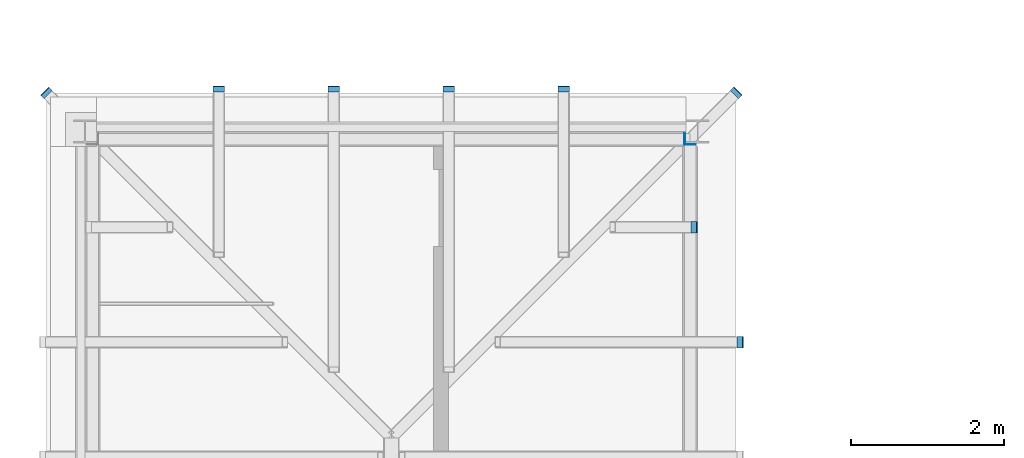
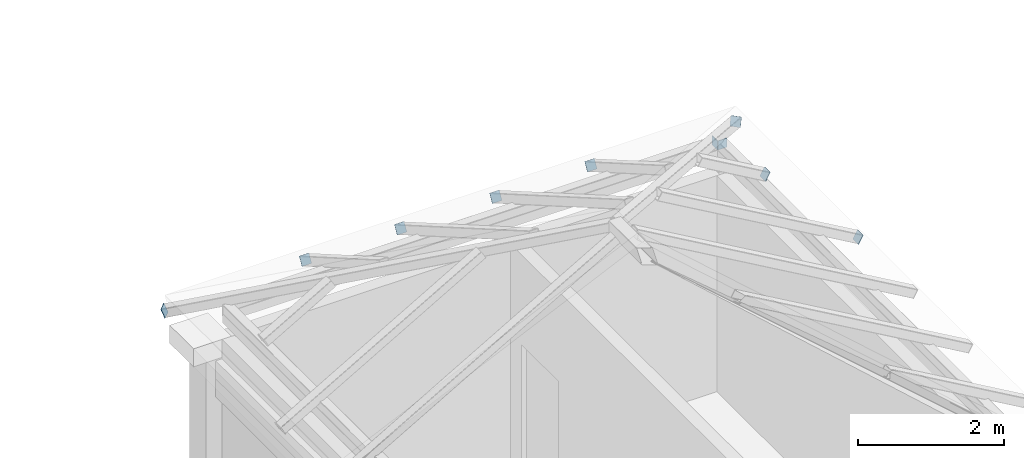
# One storey, part 82 of 111: 10 discrete accessories.
"""IFC4 building model written with IfcOpenShell, lengths in metres."""

from ifc_helpers import new_model, si_unit, direction, frame, origin, origin_2d, place, context, subcontext, project, spatial, rectangle, extrude, material, material_profile, profile_set, type_object, element, save


model = new_model("IFC4")

# Units and contexts
model_context = context("Model", 3, precision=1e-05, world=origin(), true_north=direction((0.0, 1.0)))
body_context = subcontext(model_context, "Body", "Model", "MODEL_VIEW")
ifc_project = project(units=[si_unit("LENGTHUNIT", "METRE"), si_unit("AREAUNIT", "SQUARE_METRE"), si_unit("VOLUMEUNIT", "CUBIC_METRE"), si_unit("PLANEANGLEUNIT", "RADIAN"), si_unit("MASSUNIT", "GRAM", prefix="KILO")], contexts=[model_context])

# Site, building, storey
site_placement = place(None, origin())
site = spatial("IfcSite", under=ifc_project, at=site_placement, CompositionType="ELEMENT")
building_placement = place(site_placement, origin())
building = spatial("IfcBuilding", under=site, at=building_placement, Name="Kallimachos Central Library", CompositionType="ELEMENT")
storey_placement = place(building_placement, frame((0.0, 0.0, 14.39990234375)))
storey = spatial("IfcBuildingStorey", under=building, at=storey_placement, Name="L03", CompositionType="ELEMENT", Elevation=14.39990234375)

# Discrete accessories
ifc_material = material(Name="Steel S355J2", Category="steel")
ifc_material_profile = material_profile(ifc_material, rectangle(XDim=0.14990234375, YDim=0.14990234375, at=origin_2d()), Name="End cap plate 10, 150x150")
ifc_profile_set = profile_set([ifc_material_profile], Name="Steel S355J2")
discrete_accessory_type = type_object("IfcDiscreteAccessoryType", Name="End cap plate 10, 150x150", PredefinedType="BRACKET", material=ifc_profile_set)
for number, where, z_axis, x_axis, name in (
    (1, (13.824951171875, 35.89990234375, 4.0751953125), (1.0, 0.0, 0.0), (0.0, 1.0, 0.0), "End cap plate"),
    (2, (13.89990234375, 35.824951171875, 4.0751953125), (0.0, 1.0, 0.0), (-1.0, 0.0, 0.0), "End cap plate"),
):
    element("IfcDiscreteAccessory", number, at=place(storey_placement, frame(where, z_axis=z_axis, x_axis=x_axis)), inside=storey, type_object=discrete_accessory_type, Name=name, PredefinedType="BRACKET", context=body_context, shape_type="SweptSolid", body=[
        extrude(rectangle(XDim=0.14990234375, YDim=0.14990234375, at=origin_2d()), origin(), (0.0, 0.0, 1.0), 0.010009765625),
    ])
for number, where, z_axis, x_axis, name in (
    (3, (7.75, 36.55859375, 3.8564453125), (0.0, -0.868243142124, 0.496138938357), (1.0, 0.0, 0.0), "End cap plate"),
    (4, (9.25, 36.55859375, 3.8564453125), (0.0, -0.868243142124, 0.496138938357), (1.0, 0.0, 0.0), "End cap plate"),
    (5, (10.75, 36.55859375, 3.8564453125), (0.0, -0.868243142124, 0.496138938357), (1.0, 0.0, 0.0), "End cap plate"),
    (6, (12.25, 36.55859375, 3.8564453125), (0.0, -0.868243142124, 0.496138938357), (1.0, 0.0, 0.0), "End cap plate"),
    (7, (14.55859375, 33.25, 3.8564453125), (-0.868243142124, 0.0, 0.496138938357), (0.0, -1.0, 0.0), "End cap plate"),
):
    element("IfcDiscreteAccessory", number, at=place(storey_placement, frame(where, z_axis=z_axis, x_axis=x_axis)), inside=storey, type_object=discrete_accessory_type, Name=name, PredefinedType="BRACKET", context=body_context, shape_type="SweptSolid", body=[
        extrude(rectangle(XDim=0.14990234375, YDim=0.14990234375, at=origin_2d()), origin(), (0.0, 0.0, 1.0), 0.009765625),
    ])
for number, where, z_axis, x_axis, name in (
    (8, (13.958740234375, 34.75, 4.202880859375), (-0.874157276122, 0.0, 0.485642931179), (0.0, -1.0, 0.0), "End cap plate"),
    (9, (5.493408203125, 36.506591796875, 3.826904296875), (0.652166303035, -0.652166303035, 0.386468920317), (0.707106781187, 0.707106781187, 0.0), "End cap plate"),
    (10, (14.506591796875, 36.506591796875, 3.826904296875), (-0.652166303035, -0.652166303035, 0.386468920317), (0.707106781187, -0.707106781187, 0.0), "End cap plate"),
):
    element("IfcDiscreteAccessory", number, at=place(storey_placement, frame(where, z_axis=z_axis, x_axis=x_axis)), inside=storey, type_object=discrete_accessory_type, Name=name, PredefinedType="BRACKET", context=body_context, shape_type="SweptSolid", body=[
        extrude(rectangle(XDim=0.14990234375, YDim=0.14990234375, at=origin_2d()), origin(), (0.0, 0.0, 1.0), 0.010009765625),
    ])

save(model, "model.ifc")
